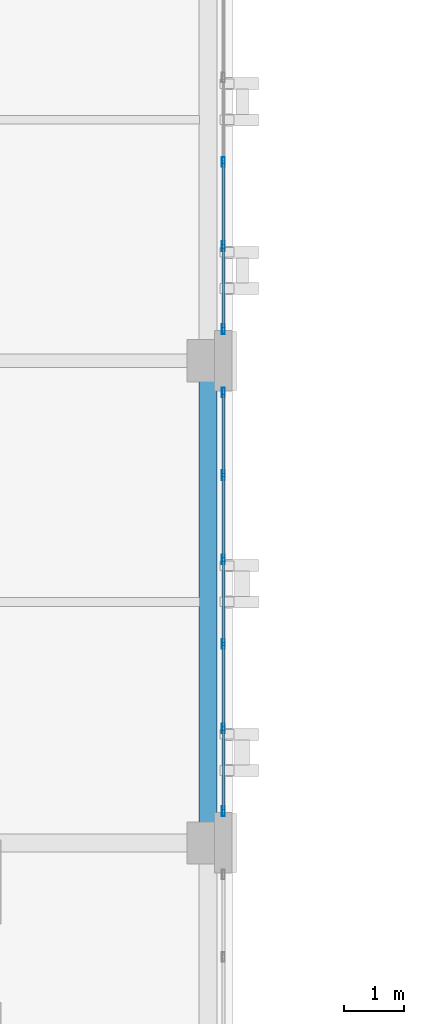
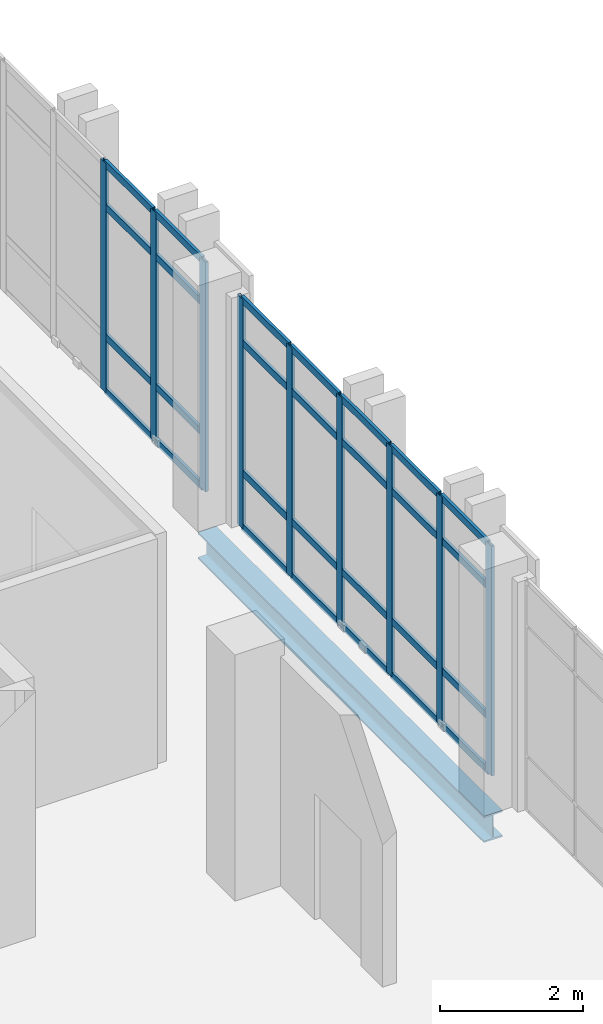
# One storey, part 33 of 165: 37 members, 1 beam, 2 elements without a shape of their own.
"""IFC4 building model written with IfcOpenShell, lengths in metres."""

from ifc_helpers import new_model, si_unit, direction, frame, origin, origin_2d, place, context, subcontext, project, spatial, hollow_rectangle, i_section, extrude, material, layer, layer_set, material_profile, profile_set, type_object, element, aggregate, save


model = new_model("IFC4")

# Units and contexts
model_context = context("Model", 3, precision=1e-05, world=origin(), true_north=direction((0.0, 1.0)))
body_context = subcontext(model_context, "Body", "Model", "MODEL_VIEW")
ifc_project = project(units=[si_unit("LENGTHUNIT", "METRE"), si_unit("AREAUNIT", "SQUARE_METRE"), si_unit("VOLUMEUNIT", "CUBIC_METRE"), si_unit("PLANEANGLEUNIT", "RADIAN"), si_unit("MASSUNIT", "GRAM", prefix="KILO")], contexts=[model_context])

# Site, building, storey
site_placement = place(None, origin())
site = spatial("IfcSite", under=ifc_project, at=site_placement, CompositionType="ELEMENT")
building_placement = place(site_placement, origin())
building = spatial("IfcBuilding", under=site, at=building_placement, Name="Qalavern Law Courts", CompositionType="ELEMENT")
storey_placement = place(building_placement, frame((0.0, 0.0, 14.39990234375)))
storey = spatial("IfcBuildingStorey", under=building, at=storey_placement, Name="L03", CompositionType="ELEMENT", Elevation=14.39990234375)

# Curtain wall, members
ifc_material_1 = material(Name="Anodised aluminium and insulated glazing", Category="aluminium")
ifc_layer = layer(ifc_material_1, 0.172119140625)
ifc_layer_set = layer_set([ifc_layer], Name="Anodised aluminium and insulated glazing")
curtain_wall_type = type_object("IfcCurtainWallType", Name="ENV-CW-COURT", PredefinedType="USERDEFINED", material=ifc_layer_set)
curtain_wall_1_placement = place(storey_placement, origin())
curtain_wall_1 = element("IfcCurtainWall", 1, at=curtain_wall_1_placement, inside=storey, type_object=curtain_wall_type, Name="V3 unitised curtain wall L03 east 2", ObjectType="UNITISED CURTAIN WALL", PredefinedType="USERDEFINED")
ifc_material_2 = material(Name="Anodised aluminium", Category="aluminium")
ifc_material_profile_1 = material_profile(ifc_material_2, hollow_rectangle(XDim=0.048095703125, YDim=0.159912109375, WallThickness=0.00390625, at=origin_2d()), Name="ALU MULLION 48x160")
ifc_profile_set_1 = profile_set([ifc_material_profile_1], Name="Anodised aluminium")
member_type_1 = type_object("IfcMemberType", Name="ENV-CWM-48x160", PredefinedType="MULLION", material=ifc_profile_set_1)
member_1_placement = place(storey_placement, frame((18.652587890625, 49.924072265625, 0.0), z_axis=(0.0, 0.0, 1.0), x_axis=(-1.0, 0.0, 0.0)))
member_1 = element("IfcMember", 2, at=member_1_placement, type_object=member_type_1, Name="CW-03 mullion 1", PredefinedType="MULLION", context=body_context, shape_type="SweptSolid", body=[
    extrude(hollow_rectangle(XDim=0.048095703125, YDim=0.159912109375, WallThickness=0.00390625, at=origin_2d()), origin(), (0.0, 0.0, 1.0), 3.920166015625),
])
member_2_placement = place(storey_placement, frame((18.652587890625, 51.300048828125, 0.0), z_axis=(0.0, 0.0, 1.0), x_axis=(-1.0, 0.0, 0.0)))
member_2 = element("IfcMember", 3, at=member_2_placement, type_object=member_type_1, Name="CW-03 mullion 2", PredefinedType="MULLION", context=body_context, shape_type="SweptSolid", body=[
    extrude(hollow_rectangle(XDim=0.048095703125, YDim=0.159912109375, WallThickness=0.00390625, at=origin_2d()), origin(), (0.0, 0.0, 1.0), 3.920166015625),
])
member_3_placement = place(storey_placement, frame((18.652587890625, 52.699951171875, 0.0), z_axis=(0.0, 0.0, 1.0), x_axis=(-1.0, 0.0, 0.0)))
member_3 = element("IfcMember", 4, at=member_3_placement, type_object=member_type_1, Name="CW-03 mullion 3", PredefinedType="MULLION", context=body_context, shape_type="SweptSolid", body=[
    extrude(hollow_rectangle(XDim=0.048095703125, YDim=0.159912109375, WallThickness=0.00390625, at=origin_2d()), origin(), (0.0, 0.0, 1.0), 3.920166015625),
])
member_4_placement = place(storey_placement, frame((18.652587890625, 54.10009765625, 0.0), z_axis=(0.0, 0.0, 1.0), x_axis=(-1.0, 0.0, 0.0)))
member_4 = element("IfcMember", 5, at=member_4_placement, type_object=member_type_1, Name="CW-03 mullion 4", PredefinedType="MULLION", context=body_context, shape_type="SweptSolid", body=[
    extrude(hollow_rectangle(XDim=0.048095703125, YDim=0.159912109375, WallThickness=0.00390625, at=origin_2d()), origin(), (0.0, 0.0, 1.0), 3.920166015625),
])
member_5_placement = place(storey_placement, frame((18.652587890625, 55.5, 0.0), z_axis=(0.0, 0.0, 1.0), x_axis=(-1.0, 0.0, 0.0)))
member_5 = element("IfcMember", 6, at=member_5_placement, type_object=member_type_1, Name="CW-03 mullion 5", PredefinedType="MULLION", context=body_context, shape_type="SweptSolid", body=[
    extrude(hollow_rectangle(XDim=0.048095703125, YDim=0.159912109375, WallThickness=0.00390625, at=origin_2d()), origin(), (0.0, 0.0, 1.0), 3.920166015625),
])
member_6_placement = place(storey_placement, frame((18.652587890625, 56.8759765625, 0.0), z_axis=(0.0, 0.0, 1.0), x_axis=(-1.0, 0.0, 0.0)))
member_6 = element("IfcMember", 7, at=member_6_placement, type_object=member_type_1, Name="CW-03 mullion 6", PredefinedType="MULLION", context=body_context, shape_type="SweptSolid", body=[
    extrude(hollow_rectangle(XDim=0.048095703125, YDim=0.159912109375, WallThickness=0.00390625, at=origin_2d()), origin(), (0.0, 0.0, 1.0), 3.920166015625),
])

curtain_wall_2_placement = place(storey_placement, origin())
curtain_wall_2 = element("IfcCurtainWall", 8, at=curtain_wall_2_placement, inside=storey, type_object=curtain_wall_type, Name="V3 unitised curtain wall L03 east 3", ObjectType="UNITISED CURTAIN WALL", PredefinedType="USERDEFINED")
member_7_placement = place(storey_placement, frame((18.652587890625, 57.924072265625, 0.0), z_axis=(0.0, 0.0, 1.0), x_axis=(-1.0, 0.0, 0.0)))
member_7 = element("IfcMember", 9, at=member_7_placement, type_object=member_type_1, Name="CW-03 mullion 1", PredefinedType="MULLION", context=body_context, shape_type="SweptSolid", body=[
    extrude(hollow_rectangle(XDim=0.048095703125, YDim=0.159912109375, WallThickness=0.00390625, at=origin_2d()), origin(), (0.0, 0.0, 1.0), 3.920166015625),
])
member_8_placement = place(storey_placement, frame((18.652587890625, 59.300048828125, 0.0), z_axis=(0.0, 0.0, 1.0), x_axis=(-1.0, 0.0, 0.0)))
member_8 = element("IfcMember", 10, at=member_8_placement, type_object=member_type_1, Name="CW-03 mullion 2", PredefinedType="MULLION", context=body_context, shape_type="SweptSolid", body=[
    extrude(hollow_rectangle(XDim=0.048095703125, YDim=0.159912109375, WallThickness=0.00390625, at=origin_2d()), origin(), (0.0, 0.0, 1.0), 3.920166015625),
])
member_9_placement = place(storey_placement, frame((18.652587890625, 60.699951171875, 0.0), z_axis=(0.0, 0.0, 1.0), x_axis=(-1.0, 0.0, 0.0)))
member_9 = element("IfcMember", 11, at=member_9_placement, type_object=member_type_1, Name="CW-03 mullion 3", PredefinedType="MULLION", context=body_context, shape_type="SweptSolid", body=[
    extrude(hollow_rectangle(XDim=0.048095703125, YDim=0.159912109375, WallThickness=0.00390625, at=origin_2d()), origin(), (0.0, 0.0, 1.0), 3.920166015625),
])

# Member
ifc_material_profile_2 = material_profile(ifc_material_2, hollow_rectangle(XDim=0.048095703125, YDim=0.1201171875, WallThickness=0.00390625, at=origin_2d()), Name="ALU TRANSOM 48x120")
ifc_profile_set_2 = profile_set([ifc_material_profile_2], Name="Anodised aluminium")
member_type_2 = type_object("IfcMemberType", Name="ENV-CWT-48x120", PredefinedType="USERDEFINED", material=ifc_profile_set_2)
member_10_placement = place(storey_placement, frame((18.652587890625, 49.947998046875, 0.024169921875), z_axis=(0.0, 1.0, 0.0), x_axis=(-1.0, 0.0, 0.0)))
member_10 = element("IfcMember", 12, at=member_10_placement, type_object=member_type_2, Name="CW-03 transom 1.1", ObjectType="TRANSOM", PredefinedType="USERDEFINED", context=body_context, shape_type="SweptSolid", body=[
    extrude(hollow_rectangle(XDim=0.048095703125, YDim=0.1201171875, WallThickness=0.00390625, at=origin_2d()), origin(), (0.0, 0.0, 1.0), 1.327880859375),
])

member_11_placement = place(storey_placement, frame((18.652587890625, 49.947998046875, 0.9501953125), z_axis=(0.0, 1.0, 0.0), x_axis=(-1.0, 0.0, 0.0)))
member_11 = element("IfcMember", 13, at=member_11_placement, type_object=member_type_2, Name="CW-03 transom 1.2", ObjectType="TRANSOM", PredefinedType="USERDEFINED", context=body_context, shape_type="SweptSolid", body=[
    extrude(hollow_rectangle(XDim=0.048095703125, YDim=0.1201171875, WallThickness=0.00390625, at=origin_2d()), origin(), (0.0, 0.0, 1.0), 1.327880859375),
])

member_12_placement = place(storey_placement, frame((18.652587890625, 49.947998046875, 3.170166015625), z_axis=(0.0, 1.0, 0.0), x_axis=(-1.0, 0.0, 0.0)))
member_12 = element("IfcMember", 14, at=member_12_placement, type_object=member_type_2, Name="CW-03 transom 1.3", ObjectType="TRANSOM", PredefinedType="USERDEFINED", context=body_context, shape_type="SweptSolid", body=[
    extrude(hollow_rectangle(XDim=0.048095703125, YDim=0.1201171875, WallThickness=0.00390625, at=origin_2d()), origin(), (0.0, 0.0, 1.0), 1.327880859375),
])

member_13_placement = place(storey_placement, frame((18.652587890625, 49.947998046875, 3.89599609375), z_axis=(0.0, 1.0, 0.0), x_axis=(-1.0, 0.0, 0.0)))
member_13 = element("IfcMember", 15, at=member_13_placement, type_object=member_type_2, Name="CW-03 transom 1.4", ObjectType="TRANSOM", PredefinedType="USERDEFINED", context=body_context, shape_type="SweptSolid", body=[
    extrude(hollow_rectangle(XDim=0.048095703125, YDim=0.1201171875, WallThickness=0.00390625, at=origin_2d()), origin(), (0.0, 0.0, 1.0), 1.327880859375),
])

member_14_placement = place(storey_placement, frame((18.652587890625, 51.323974609375, 0.024169921875), z_axis=(0.0, 1.0, 0.0), x_axis=(-1.0, 0.0, 0.0)))
member_14 = element("IfcMember", 16, at=member_14_placement, type_object=member_type_2, Name="CW-03 transom 2.1", ObjectType="TRANSOM", PredefinedType="USERDEFINED", context=body_context, shape_type="SweptSolid", body=[
    extrude(hollow_rectangle(XDim=0.048095703125, YDim=0.1201171875, WallThickness=0.00390625, at=origin_2d()), origin(), (0.0, 0.0, 1.0), 1.35205078125),
])

member_15_placement = place(storey_placement, frame((18.652587890625, 51.323974609375, 0.9501953125), z_axis=(0.0, 1.0, 0.0), x_axis=(-1.0, 0.0, 0.0)))
member_15 = element("IfcMember", 17, at=member_15_placement, type_object=member_type_2, Name="CW-03 transom 2.2", ObjectType="TRANSOM", PredefinedType="USERDEFINED", context=body_context, shape_type="SweptSolid", body=[
    extrude(hollow_rectangle(XDim=0.048095703125, YDim=0.1201171875, WallThickness=0.00390625, at=origin_2d()), origin(), (0.0, 0.0, 1.0), 1.35205078125),
])

member_16_placement = place(storey_placement, frame((18.652587890625, 51.323974609375, 3.170166015625), z_axis=(0.0, 1.0, 0.0), x_axis=(-1.0, 0.0, 0.0)))
member_16 = element("IfcMember", 18, at=member_16_placement, type_object=member_type_2, Name="CW-03 transom 2.3", ObjectType="TRANSOM", PredefinedType="USERDEFINED", context=body_context, shape_type="SweptSolid", body=[
    extrude(hollow_rectangle(XDim=0.048095703125, YDim=0.1201171875, WallThickness=0.00390625, at=origin_2d()), origin(), (0.0, 0.0, 1.0), 1.35205078125),
])

member_17_placement = place(storey_placement, frame((18.652587890625, 51.323974609375, 3.89599609375), z_axis=(0.0, 1.0, 0.0), x_axis=(-1.0, 0.0, 0.0)))
member_17 = element("IfcMember", 19, at=member_17_placement, type_object=member_type_2, Name="CW-03 transom 2.4", ObjectType="TRANSOM", PredefinedType="USERDEFINED", context=body_context, shape_type="SweptSolid", body=[
    extrude(hollow_rectangle(XDim=0.048095703125, YDim=0.1201171875, WallThickness=0.00390625, at=origin_2d()), origin(), (0.0, 0.0, 1.0), 1.35205078125),
])

member_18_placement = place(storey_placement, frame((18.652587890625, 52.72412109375, 0.024169921875), z_axis=(0.0, 1.0, 0.0), x_axis=(-1.0, 0.0, 0.0)))
member_18 = element("IfcMember", 20, at=member_18_placement, type_object=member_type_2, Name="CW-03 transom 3.1", ObjectType="TRANSOM", PredefinedType="USERDEFINED", context=body_context, shape_type="SweptSolid", body=[
    extrude(hollow_rectangle(XDim=0.048095703125, YDim=0.1201171875, WallThickness=0.00390625, at=origin_2d()), origin(), (0.0, 0.0, 1.0), 1.351806640625),
])

member_19_placement = place(storey_placement, frame((18.652587890625, 52.72412109375, 0.9501953125), z_axis=(0.0, 1.0, 0.0), x_axis=(-1.0, 0.0, 0.0)))
member_19 = element("IfcMember", 21, at=member_19_placement, type_object=member_type_2, Name="CW-03 transom 3.2", ObjectType="TRANSOM", PredefinedType="USERDEFINED", context=body_context, shape_type="SweptSolid", body=[
    extrude(hollow_rectangle(XDim=0.048095703125, YDim=0.1201171875, WallThickness=0.00390625, at=origin_2d()), origin(), (0.0, 0.0, 1.0), 1.351806640625),
])

member_20_placement = place(storey_placement, frame((18.652587890625, 52.72412109375, 3.170166015625), z_axis=(0.0, 1.0, 0.0), x_axis=(-1.0, 0.0, 0.0)))
member_20 = element("IfcMember", 22, at=member_20_placement, type_object=member_type_2, Name="CW-03 transom 3.3", ObjectType="TRANSOM", PredefinedType="USERDEFINED", context=body_context, shape_type="SweptSolid", body=[
    extrude(hollow_rectangle(XDim=0.048095703125, YDim=0.1201171875, WallThickness=0.00390625, at=origin_2d()), origin(), (0.0, 0.0, 1.0), 1.351806640625),
])

member_21_placement = place(storey_placement, frame((18.652587890625, 52.72412109375, 3.89599609375), z_axis=(0.0, 1.0, 0.0), x_axis=(-1.0, 0.0, 0.0)))
member_21 = element("IfcMember", 23, at=member_21_placement, type_object=member_type_2, Name="CW-03 transom 3.4", ObjectType="TRANSOM", PredefinedType="USERDEFINED", context=body_context, shape_type="SweptSolid", body=[
    extrude(hollow_rectangle(XDim=0.048095703125, YDim=0.1201171875, WallThickness=0.00390625, at=origin_2d()), origin(), (0.0, 0.0, 1.0), 1.351806640625),
])

member_22_placement = place(storey_placement, frame((18.652587890625, 54.1240234375, 0.024169921875), z_axis=(0.0, 1.0, 0.0), x_axis=(-1.0, 0.0, 0.0)))
member_22 = element("IfcMember", 24, at=member_22_placement, type_object=member_type_2, Name="CW-03 transom 4.1", ObjectType="TRANSOM", PredefinedType="USERDEFINED", context=body_context, shape_type="SweptSolid", body=[
    extrude(hollow_rectangle(XDim=0.048095703125, YDim=0.1201171875, WallThickness=0.00390625, at=origin_2d()), origin(), (0.0, 0.0, 1.0), 1.35205078125),
])

member_23_placement = place(storey_placement, frame((18.652587890625, 54.1240234375, 0.9501953125), z_axis=(0.0, 1.0, 0.0), x_axis=(-1.0, 0.0, 0.0)))
member_23 = element("IfcMember", 25, at=member_23_placement, type_object=member_type_2, Name="CW-03 transom 4.2", ObjectType="TRANSOM", PredefinedType="USERDEFINED", context=body_context, shape_type="SweptSolid", body=[
    extrude(hollow_rectangle(XDim=0.048095703125, YDim=0.1201171875, WallThickness=0.00390625, at=origin_2d()), origin(), (0.0, 0.0, 1.0), 1.35205078125),
])

member_24_placement = place(storey_placement, frame((18.652587890625, 54.1240234375, 3.170166015625), z_axis=(0.0, 1.0, 0.0), x_axis=(-1.0, 0.0, 0.0)))
member_24 = element("IfcMember", 26, at=member_24_placement, type_object=member_type_2, Name="CW-03 transom 4.3", ObjectType="TRANSOM", PredefinedType="USERDEFINED", context=body_context, shape_type="SweptSolid", body=[
    extrude(hollow_rectangle(XDim=0.048095703125, YDim=0.1201171875, WallThickness=0.00390625, at=origin_2d()), origin(), (0.0, 0.0, 1.0), 1.35205078125),
])

member_25_placement = place(storey_placement, frame((18.652587890625, 54.1240234375, 3.89599609375), z_axis=(0.0, 1.0, 0.0), x_axis=(-1.0, 0.0, 0.0)))
member_25 = element("IfcMember", 27, at=member_25_placement, type_object=member_type_2, Name="CW-03 transom 4.4", ObjectType="TRANSOM", PredefinedType="USERDEFINED", context=body_context, shape_type="SweptSolid", body=[
    extrude(hollow_rectangle(XDim=0.048095703125, YDim=0.1201171875, WallThickness=0.00390625, at=origin_2d()), origin(), (0.0, 0.0, 1.0), 1.35205078125),
])

member_26_placement = place(storey_placement, frame((18.652587890625, 55.52392578125, 0.024169921875), z_axis=(0.0, 1.0, 0.0), x_axis=(-1.0, 0.0, 0.0)))
member_26 = element("IfcMember", 28, at=member_26_placement, type_object=member_type_2, Name="CW-03 transom 5.1", ObjectType="TRANSOM", PredefinedType="USERDEFINED", context=body_context, shape_type="SweptSolid", body=[
    extrude(hollow_rectangle(XDim=0.048095703125, YDim=0.1201171875, WallThickness=0.00390625, at=origin_2d()), origin(), (0.0, 0.0, 1.0), 1.328125),
])

member_27_placement = place(storey_placement, frame((18.652587890625, 55.52392578125, 0.9501953125), z_axis=(0.0, 1.0, 0.0), x_axis=(-1.0, 0.0, 0.0)))
member_27 = element("IfcMember", 29, at=member_27_placement, type_object=member_type_2, Name="CW-03 transom 5.2", ObjectType="TRANSOM", PredefinedType="USERDEFINED", context=body_context, shape_type="SweptSolid", body=[
    extrude(hollow_rectangle(XDim=0.048095703125, YDim=0.1201171875, WallThickness=0.00390625, at=origin_2d()), origin(), (0.0, 0.0, 1.0), 1.328125),
])

member_28_placement = place(storey_placement, frame((18.652587890625, 55.52392578125, 3.170166015625), z_axis=(0.0, 1.0, 0.0), x_axis=(-1.0, 0.0, 0.0)))
member_28 = element("IfcMember", 30, at=member_28_placement, type_object=member_type_2, Name="CW-03 transom 5.3", ObjectType="TRANSOM", PredefinedType="USERDEFINED", context=body_context, shape_type="SweptSolid", body=[
    extrude(hollow_rectangle(XDim=0.048095703125, YDim=0.1201171875, WallThickness=0.00390625, at=origin_2d()), origin(), (0.0, 0.0, 1.0), 1.328125),
])

member_29_placement = place(storey_placement, frame((18.652587890625, 55.52392578125, 3.89599609375), z_axis=(0.0, 1.0, 0.0), x_axis=(-1.0, 0.0, 0.0)))
member_29 = element("IfcMember", 31, at=member_29_placement, type_object=member_type_2, Name="CW-03 transom 5.4", ObjectType="TRANSOM", PredefinedType="USERDEFINED", context=body_context, shape_type="SweptSolid", body=[
    extrude(hollow_rectangle(XDim=0.048095703125, YDim=0.1201171875, WallThickness=0.00390625, at=origin_2d()), origin(), (0.0, 0.0, 1.0), 1.328125),
])

aggregate(curtain_wall_1, [member_1, member_2, member_3, member_4, member_5, member_6, member_10, member_11, member_12, member_13, member_14, member_15, member_16, member_17, member_18, member_19, member_20, member_21, member_22, member_23, member_24, member_25, member_26, member_27, member_28, member_29])

member_30_placement = place(storey_placement, frame((18.652587890625, 57.947998046875, 0.024169921875), z_axis=(0.0, 1.0, 0.0), x_axis=(-1.0, 0.0, 0.0)))
member_30 = element("IfcMember", 32, at=member_30_placement, type_object=member_type_2, Name="CW-03 transom 1.1", ObjectType="TRANSOM", PredefinedType="USERDEFINED", context=body_context, shape_type="SweptSolid", body=[
    extrude(hollow_rectangle(XDim=0.048095703125, YDim=0.1201171875, WallThickness=0.00390625, at=origin_2d()), origin(), (0.0, 0.0, 1.0), 1.327880859375),
])

member_31_placement = place(storey_placement, frame((18.652587890625, 57.947998046875, 0.9501953125), z_axis=(0.0, 1.0, 0.0), x_axis=(-1.0, 0.0, 0.0)))
member_31 = element("IfcMember", 33, at=member_31_placement, type_object=member_type_2, Name="CW-03 transom 1.2", ObjectType="TRANSOM", PredefinedType="USERDEFINED", context=body_context, shape_type="SweptSolid", body=[
    extrude(hollow_rectangle(XDim=0.048095703125, YDim=0.1201171875, WallThickness=0.00390625, at=origin_2d()), origin(), (0.0, 0.0, 1.0), 1.327880859375),
])

member_32_placement = place(storey_placement, frame((18.652587890625, 57.947998046875, 3.170166015625), z_axis=(0.0, 1.0, 0.0), x_axis=(-1.0, 0.0, 0.0)))
member_32 = element("IfcMember", 34, at=member_32_placement, type_object=member_type_2, Name="CW-03 transom 1.3", ObjectType="TRANSOM", PredefinedType="USERDEFINED", context=body_context, shape_type="SweptSolid", body=[
    extrude(hollow_rectangle(XDim=0.048095703125, YDim=0.1201171875, WallThickness=0.00390625, at=origin_2d()), origin(), (0.0, 0.0, 1.0), 1.327880859375),
])

member_33_placement = place(storey_placement, frame((18.652587890625, 57.947998046875, 3.89599609375), z_axis=(0.0, 1.0, 0.0), x_axis=(-1.0, 0.0, 0.0)))
member_33 = element("IfcMember", 35, at=member_33_placement, type_object=member_type_2, Name="CW-03 transom 1.4", ObjectType="TRANSOM", PredefinedType="USERDEFINED", context=body_context, shape_type="SweptSolid", body=[
    extrude(hollow_rectangle(XDim=0.048095703125, YDim=0.1201171875, WallThickness=0.00390625, at=origin_2d()), origin(), (0.0, 0.0, 1.0), 1.327880859375),
])

member_34_placement = place(storey_placement, frame((18.652587890625, 59.323974609375, 0.024169921875), z_axis=(0.0, 1.0, 0.0), x_axis=(-1.0, 0.0, 0.0)))
member_34 = element("IfcMember", 36, at=member_34_placement, type_object=member_type_2, Name="CW-03 transom 2.1", ObjectType="TRANSOM", PredefinedType="USERDEFINED", context=body_context, shape_type="SweptSolid", body=[
    extrude(hollow_rectangle(XDim=0.048095703125, YDim=0.1201171875, WallThickness=0.00390625, at=origin_2d()), origin(), (0.0, 0.0, 1.0), 1.35205078125),
])

member_35_placement = place(storey_placement, frame((18.652587890625, 59.323974609375, 0.9501953125), z_axis=(0.0, 1.0, 0.0), x_axis=(-1.0, 0.0, 0.0)))
member_35 = element("IfcMember", 37, at=member_35_placement, type_object=member_type_2, Name="CW-03 transom 2.2", ObjectType="TRANSOM", PredefinedType="USERDEFINED", context=body_context, shape_type="SweptSolid", body=[
    extrude(hollow_rectangle(XDim=0.048095703125, YDim=0.1201171875, WallThickness=0.00390625, at=origin_2d()), origin(), (0.0, 0.0, 1.0), 1.35205078125),
])

member_36_placement = place(storey_placement, frame((18.652587890625, 59.323974609375, 3.170166015625), z_axis=(0.0, 1.0, 0.0), x_axis=(-1.0, 0.0, 0.0)))
member_36 = element("IfcMember", 38, at=member_36_placement, type_object=member_type_2, Name="CW-03 transom 2.3", ObjectType="TRANSOM", PredefinedType="USERDEFINED", context=body_context, shape_type="SweptSolid", body=[
    extrude(hollow_rectangle(XDim=0.048095703125, YDim=0.1201171875, WallThickness=0.00390625, at=origin_2d()), origin(), (0.0, 0.0, 1.0), 1.35205078125),
])

member_37_placement = place(storey_placement, frame((18.652587890625, 59.323974609375, 3.89599609375), z_axis=(0.0, 1.0, 0.0), x_axis=(-1.0, 0.0, 0.0)))
member_37 = element("IfcMember", 39, at=member_37_placement, type_object=member_type_2, Name="CW-03 transom 2.4", ObjectType="TRANSOM", PredefinedType="USERDEFINED", context=body_context, shape_type="SweptSolid", body=[
    extrude(hollow_rectangle(XDim=0.048095703125, YDim=0.1201171875, WallThickness=0.00390625, at=origin_2d()), origin(), (0.0, 0.0, 1.0), 1.35205078125),
])

aggregate(curtain_wall_2, [member_7, member_8, member_9, member_30, member_31, member_32, member_33, member_34, member_35, member_36, member_37])

# Beam
ifc_material_3 = material(Name="Steel S355", Category="steel")
ifc_material_profile_3 = material_profile(ifc_material_3, i_section(OverallWidth=0.300048828125, OverallDepth=0.449951171875, WebThickness=0.013916015625, FlangeThickness=0.02587890625, FilletRadius=0.027099609375, at=origin_2d()), Name="HEB 450")
ifc_profile_set_3 = profile_set([ifc_material_profile_3], Name="Steel S355")
beam_type = type_object("IfcBeamType", Name="STR-SP-HEB450", PredefinedType="SPANDREL", material=ifc_profile_set_3)
beam_placement = place(storey_placement, frame((18.39990234375, 49.39990234375, -0.510009765625), z_axis=(0.0, 1.0, 0.0), x_axis=(-1.0, 0.0, 0.0)))
element("IfcBeam", 40, at=beam_placement, inside=storey, type_object=beam_type, Name="V3 Y-beam 3-2 L03", PredefinedType="SPANDREL", context=body_context, shape_type="SweptSolid", body=[
    extrude(i_section(OverallWidth=0.300048828125, OverallDepth=0.449951171875, WebThickness=0.013916015625, FlangeThickness=0.02587890625, FilletRadius=0.027099609375, at=origin_2d()), origin(), (0.0, 0.0, 1.0), 8.0),
])

save(model, "model.ifc")
